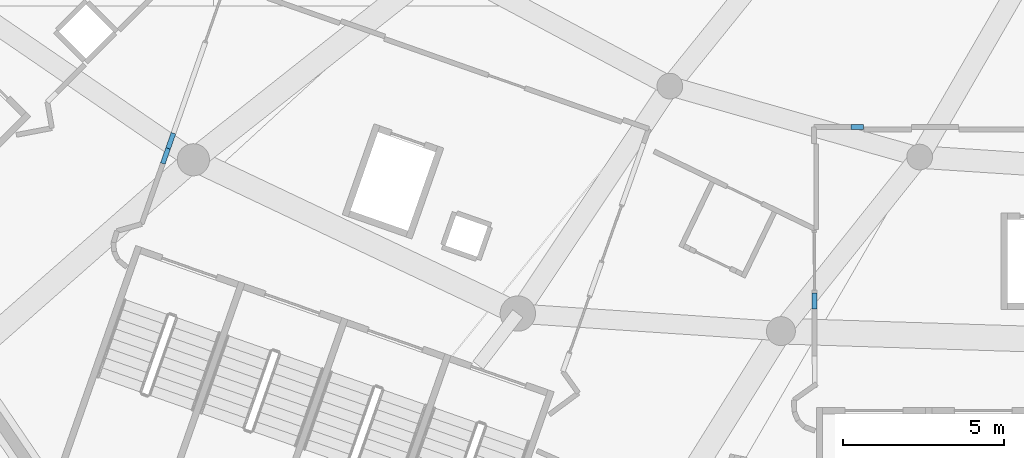
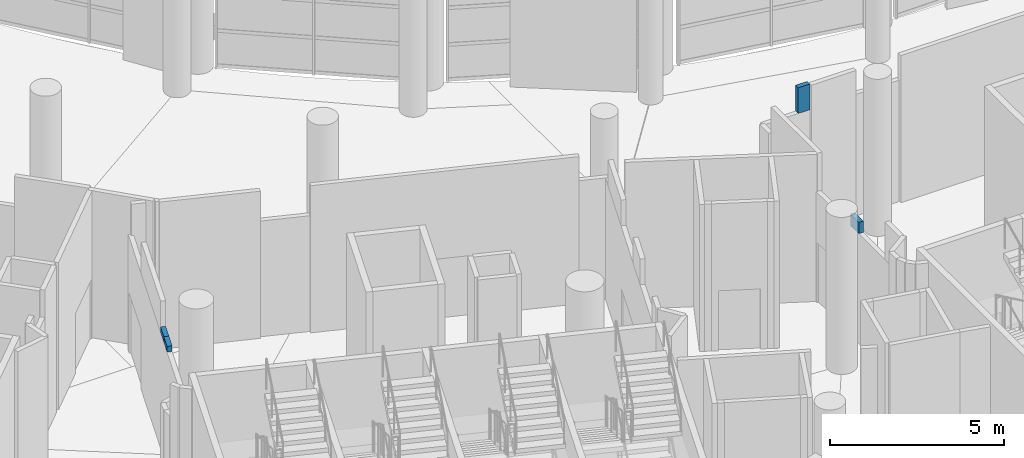
# One storey, part 201 of 271: 4 walls.
"""IFC4 building model written with IfcOpenShell, lengths in metres."""

from ifc_helpers import new_model, si_unit, direction, frame, frame_2d, origin, place, context, subcontext, project, spatial, rectangle, extrude, material, layer, layer_set, type_object, element, save


model = new_model("IFC4")

# Units and contexts
model_context = context("Model", 3, precision=1e-05, world=origin(), true_north=direction((0.0, 1.0)))
body_context = subcontext(model_context, "Body", "Model", "MODEL_VIEW")
ifc_project = project(units=[si_unit("LENGTHUNIT", "METRE"), si_unit("AREAUNIT", "SQUARE_METRE"), si_unit("VOLUMEUNIT", "CUBIC_METRE"), si_unit("PLANEANGLEUNIT", "RADIAN"), si_unit("MASSUNIT", "GRAM", prefix="KILO")], contexts=[model_context])

# Site, building, storey
site_placement = place(None, origin())
site = spatial("IfcSite", under=ifc_project, at=site_placement, CompositionType="ELEMENT")
building_placement = place(site_placement, origin())
building = spatial("IfcBuilding", under=site, at=building_placement, Name="Meseta Stadium", CompositionType="ELEMENT")
storey_placement = place(building_placement, frame((0.0, 0.0, 6.5)))
storey = spatial("IfcBuildingStorey", under=building, at=storey_placement, Name="L01", CompositionType="ELEMENT", Elevation=6.5)

# Walls
ifc_material = material(Name="Masonry blockwork", Category="masonry")
ifc_layer = layer(ifc_material, 0.14990234375)
ifc_layer_set = layer_set([ifc_layer], Name="Partition 150")
wall_type = type_object("IfcWallType", Name="Partition 150", PredefinedType="PARTITIONING", material=ifc_layer_set)
wall_1_placement = place(storey_placement, frame((-65.243408203125, -83.966796875, 4.050048828125), z_axis=(0.0, 0.0, 1.0), x_axis=(-0.330285037143, -0.943881239479, 0.0)))
element("IfcWall", 1, at=wall_1_placement, inside=storey, type_object=wall_type, Name="Stair vestibule wall L01 core 22", PredefinedType="PARTITIONING", context=body_context, shape_type="SweptSolid", body=[
    extrude(rectangle(XDim=0.4990234375, YDim=0.14990234375, at=frame_2d((0.24951171875, 0.0))), origin(), (0.0, 0.0, 1.0), 0.199951171875),
])
wall_2_placement = place(storey_placement, frame((-65.408203125, -84.437744140625, 4.050048828125), z_axis=(0.0, 0.0, 1.0), x_axis=(-0.330437645991, -0.9438278244, 0.0)))
element("IfcWall", 2, at=wall_2_placement, inside=storey, type_object=wall_type, Name="Stair vestibule wall L01 core 22", PredefinedType="PARTITIONING", context=body_context, shape_type="SweptSolid", body=[
    extrude(rectangle(XDim=0.498779296875, YDim=0.14990234375, at=frame_2d((0.24951171875, 0.0))), origin(), (0.0, 0.0, 1.0), 0.199951171875),
])
wall_3_placement = place(storey_placement, frame((-43.764892578125, -83.776123046875, 4.25), z_axis=(0.0, 0.0, 1.0), x_axis=(-1.0, 0.0, 0.0)))
element("IfcWall", 3, at=wall_3_placement, inside=storey, type_object=wall_type, Name="Stair vestibule wall L01 core 23", PredefinedType="PARTITIONING", context=body_context, shape_type="SweptSolid", body=[
    extrude(rectangle(XDim=0.3857421875, YDim=0.14990234375, at=frame_2d((0.19287109375, 0.0))), origin(), (0.0, 0.0, 1.0), 0.89990234375),
])
wall_4_placement = place(storey_placement, frame((-45.290771484375, -88.94189453125, 3.85009765625), z_axis=(0.0, 0.0, 1.0), x_axis=(0.003479104192, -0.999993947899, 0.0)))
element("IfcWall", 4, at=wall_4_placement, inside=storey, type_object=wall_type, Name="Stair vestibule wall L01 core 23", PredefinedType="PARTITIONING", context=body_context, shape_type="SweptSolid", body=[
    extrude(rectangle(XDim=0.4912109375, YDim=0.14990234375, at=frame_2d((0.24560546875, 0.0))), origin(), (0.0, 0.0, 1.0), 0.39990234375),
])

save(model, "model.ifc")
